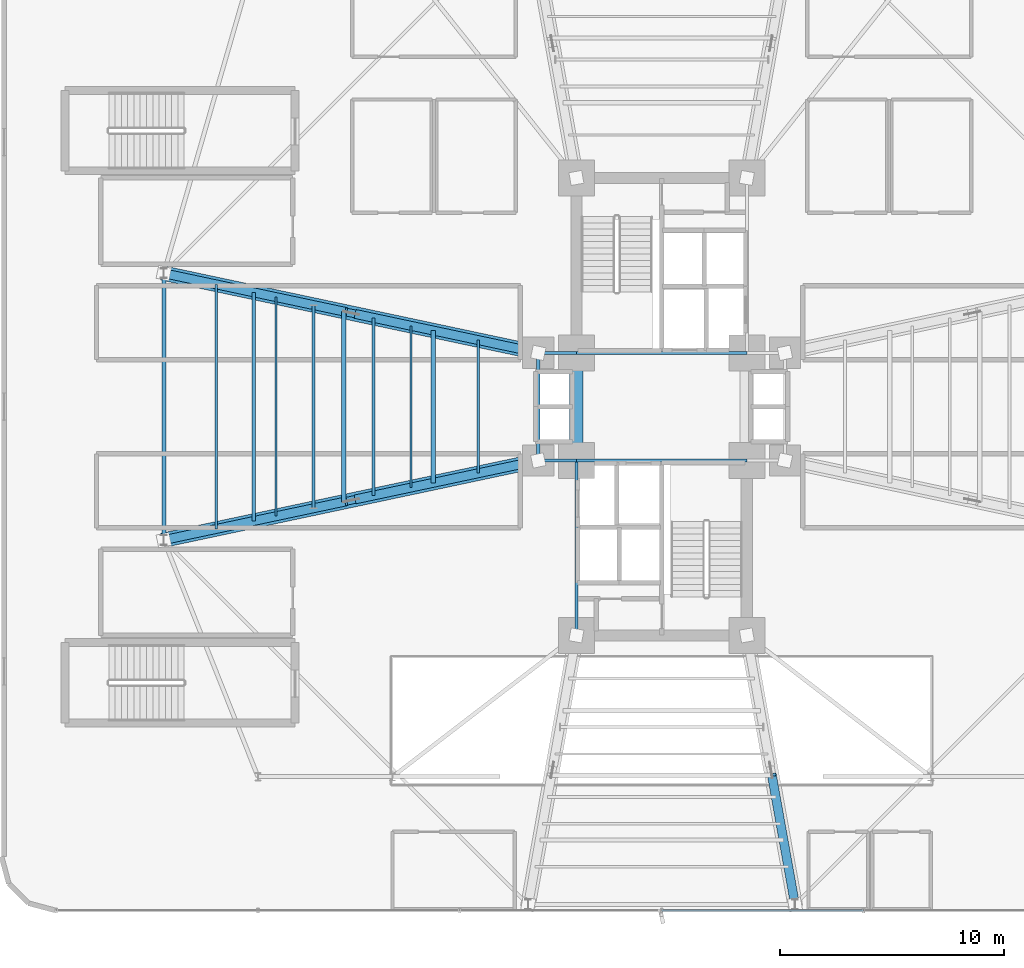
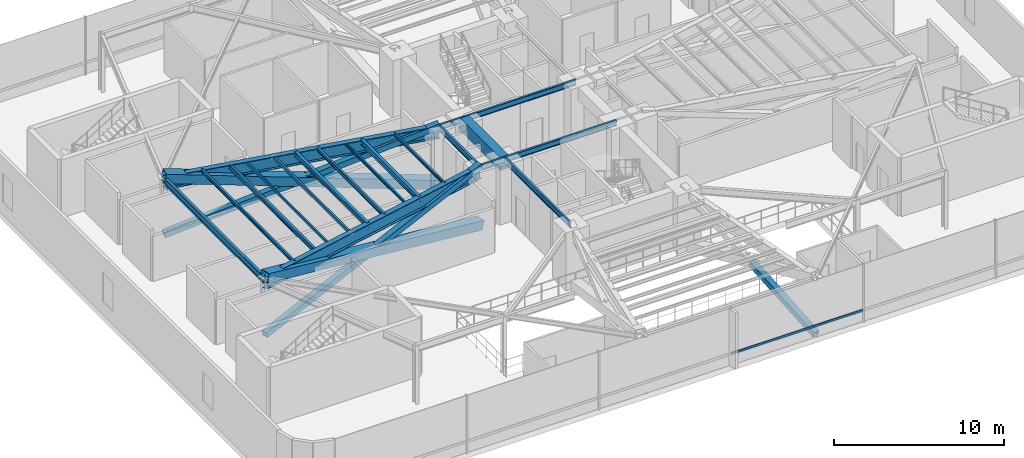
# One storey, part 8 of 32: 19 beams, 8 members, 1 element without a shape of its own.
"""IFC4 building model written with IfcOpenShell, lengths in metres."""

from ifc_helpers import new_model, si_unit, direction, frame, origin, origin_2d, place, context, subcontext, project, spatial, rectangle, hollow_rectangle, i_section, extrude, source, transform, mapped, material, material_profile, profile_set, type_object, element, aggregate, save


model = new_model("IFC4")

# Units and contexts
model_context = context("Model", 3, precision=1e-05, world=origin(), true_north=direction((0.0, 1.0)))
body_context = subcontext(model_context, "Body", "Model", "MODEL_VIEW")
ifc_project = project(units=[si_unit("LENGTHUNIT", "METRE"), si_unit("AREAUNIT", "SQUARE_METRE"), si_unit("VOLUMEUNIT", "CUBIC_METRE"), si_unit("PLANEANGLEUNIT", "RADIAN"), si_unit("MASSUNIT", "GRAM", prefix="KILO")], contexts=[model_context])

# Site, building, storey
site_placement = place(None, origin())
site = spatial("IfcSite", under=ifc_project, at=site_placement, CompositionType="ELEMENT")
building_placement = place(site_placement, origin())
building = spatial("IfcBuilding", under=site, at=building_placement, Name="Sahyath Konkavel Grand Hotel", CompositionType="ELEMENT")
storey_placement = place(building_placement, frame((0.0, 0.0, 14.10009765625)))
storey = spatial("IfcBuildingStorey", under=building, at=storey_placement, Name="L03", CompositionType="ELEMENT", Elevation=14.10009765625)

# Beams
ifc_material_1 = material(Name="Concrete C70/85", Category="concrete")
ifc_material_profile_1 = material_profile(ifc_material_1, rectangle(XDim=0.60009765625, YDim=0.89990234375, at=origin_2d()), Name="RC 600x900")
ifc_profile_set_1 = profile_set([ifc_material_profile_1], Name="Concrete C70/85")
beam_type_1 = type_object("IfcBeamType", Name="BM-CB600x900", PredefinedType="LINTEL", material=ifc_profile_set_1)
shared_shape_1 = source(origin(), body_context, "Body", "SweptSolid", [
    extrude(rectangle(XDim=0.60009765625, YDim=0.89990234375, at=origin_2d()), origin(), (0.0, 0.0, 1.0), 4.7998046875),
])
beam_1_placement = place(storey_placement, frame((-3.800048828125, -2.39990234375, 3.72998046875), z_axis=(0.0, 1.0, 0.0), x_axis=(-1.0, 0.0, 0.0)))
element("IfcBeam", 1, at=beam_1_placement, inside=storey, type_object=beam_type_1, Name="L03 Split-Core Coupling Beam West", PredefinedType="LINTEL", context=body_context, shape_type="MappedRepresentation", body=[
    mapped(shared_shape_1, transform((0.0, 0.0, 0.0), scale=1.0)),
])
ifc_material_2 = material(Name="Steel E350", Category="steel")
ifc_material_profile_2 = material_profile(ifc_material_2, i_section(OverallWidth=0.139892578125, OverallDepth=0.39990234375, WebThickness=0.0087890625, FlangeThickness=0.01611328125, FilletRadius=0.013916015625, at=origin_2d()), Name="ISMB 400")
ifc_profile_set_2 = profile_set([ifc_material_profile_2], Name="Steel E350")
beam_type_2 = type_object("IfcBeamType", Name="BM-ISMB400", PredefinedType="BEAM", material=ifc_profile_set_2)
shared_shape_2 = source(origin(), body_context, "Body", "SweptSolid", [
    extrude(i_section(OverallWidth=0.139892578125, OverallDepth=0.39990234375, WebThickness=0.0087890625, FlangeThickness=0.01611328125, FilletRadius=0.013916015625, at=origin_2d()), origin(), (0.0, 0.0, 1.0), 7.60009765625),
])
for number, where, z_axis, x_axis, name in (
    (2, (-3.800048828125, 2.39990234375, 3.97998046875), (1.0, 0.0, 0.0), (0.0, 1.0, 0.0), "str:bm:L03:NC-S"),
    (3, (-3.800048828125, -2.39990234375, 3.97998046875), (1.0, 0.0, 0.0), (0.0, 1.0, 0.0), "str:bm:L03:SC-N"),
):
    element("IfcBeam", number, at=place(storey_placement, frame(where, z_axis=z_axis, x_axis=x_axis)), inside=storey, type_object=beam_type_2, Name=name, PredefinedType="BEAM", context=body_context, shape_type="MappedRepresentation", body=[
        mapped(shared_shape_2, transform((0.0, 0.0, 0.0), scale=1.0)),
    ])
shared_shape_3 = source(origin(), body_context, "Body", "SweptSolid", [
    extrude(i_section(OverallWidth=0.139892578125, OverallDepth=0.39990234375, WebThickness=0.0087890625, FlangeThickness=0.01611328125, FilletRadius=0.013916015625, at=origin_2d()), origin(), (0.0, 0.0, 1.0), 7.800048828125),
])
beam_2_placement = place(storey_placement, frame((-3.800048828125, -10.199951171875, 3.97998046875), z_axis=(0.0, 1.0, 0.0), x_axis=(-1.0, 0.0, 0.0)))
element("IfcBeam", 4, at=beam_2_placement, inside=storey, type_object=beam_type_2, Name="str:bm:L03:SC-W", PredefinedType="BEAM", context=body_context, shape_type="MappedRepresentation", body=[
    mapped(shared_shape_3, transform((0.0, 0.0, 0.0), scale=1.0)),
])
shared_shape_4 = source(origin(), body_context, "Body", "SweptSolid", [
    extrude(i_section(OverallWidth=0.139892578125, OverallDepth=0.39990234375, WebThickness=0.0087890625, FlangeThickness=0.01611328125, FilletRadius=0.013916015625, at=origin_2d()), origin(), (0.0, 0.0, 1.0), 1.699951171875),
])
for number, where, z_axis, x_axis, name in (
    (5, (-5.5, 2.39990234375, 3.97998046875), (1.0, 0.0, 0.0), (0.0, 1.0, 0.0), "str:bm:L03:HB-NW"),
    (6, (-5.5, -2.39990234375, 3.97998046875), (1.0, 0.0, 0.0), (0.0, 1.0, 0.0), "str:bm:L03:HB-SW"),
):
    element("IfcBeam", number, at=place(storey_placement, frame(where, z_axis=z_axis, x_axis=x_axis)), inside=storey, type_object=beam_type_2, Name=name, PredefinedType="BEAM", context=body_context, shape_type="MappedRepresentation", body=[
        mapped(shared_shape_4, transform((0.0, 0.0, 0.0), scale=1.0)),
    ])
shared_shape_5 = source(origin(), body_context, "Body", "SweptSolid", [
    extrude(i_section(OverallWidth=0.139892578125, OverallDepth=0.39990234375, WebThickness=0.0087890625, FlangeThickness=0.01611328125, FilletRadius=0.013916015625, at=origin_2d()), origin(), (0.0, 0.0, 1.0), 4.7998046875),
])
beam_3_placement = place(storey_placement, frame((-5.5, -2.39990234375, 3.97998046875), z_axis=(0.0, 1.0, 0.0), x_axis=(-1.0, 0.0, 0.0)))
element("IfcBeam", 7, at=beam_3_placement, inside=storey, type_object=beam_type_2, Name="str:bm:L03:HB-W", PredefinedType="BEAM", context=body_context, shape_type="MappedRepresentation", body=[
    mapped(shared_shape_5, transform((0.0, 0.0, 0.0), scale=1.0)),
])
ifc_material_3 = material(Name="Steel E450", Category="steel")
ifc_material_profile_3 = material_profile(ifc_material_3, i_section(OverallWidth=0.35009765625, OverallDepth=0.89990234375, WebThickness=0.01806640625, FlangeThickness=0.031982421875, at=origin_2d()), Name="BPG 900x350")
ifc_profile_set_3 = profile_set([ifc_material_profile_3], Name="Steel E450")
beam_type_3 = type_object("IfcBeamType", Name="BM-BPG900", PredefinedType="BEAM", material=ifc_profile_set_3)
shared_shape_6 = source(origin(), body_context, "Body", "SweptSolid", [
    extrude(i_section(OverallWidth=0.35009765625, OverallDepth=0.89990234375, WebThickness=0.01806640625, FlangeThickness=0.031982421875, at=origin_2d()), origin(), (0.0, 0.0, 1.0), 17.072998046875),
])
for number, where, z_axis, x_axis, name in (
    (8, (-5.5, 2.39990234375, 3.72998046875), (-0.978143257225, 0.20793212437, 0.0), (-0.20793212437, -0.978143257225, 0.0), "L03 Cruciform Radial Girder WA"),
    (9, (-5.5, -2.39990234375, 3.72998046875), (-0.978143257225, -0.20793212437, 0.0), (0.20793212437, -0.978143257225, 0.0), "L03 Cruciform Radial Girder WB"),
):
    element("IfcBeam", number, at=place(storey_placement, frame(where, z_axis=z_axis, x_axis=x_axis)), inside=storey, type_object=beam_type_3, Name=name, PredefinedType="BEAM", context=body_context, shape_type="MappedRepresentation", body=[
        mapped(shared_shape_6, transform((0.0, 0.0, 0.0), scale=1.0)),
    ])
ifc_material_profile_4 = material_profile(ifc_material_2, i_section(OverallWidth=0.179931640625, OverallDepth=0.5, WebThickness=0.01025390625, FlangeThickness=0.01708984375, FilletRadius=0.01708984375, at=origin_2d()), Name="ISMB 500")
ifc_profile_set_4 = profile_set([ifc_material_profile_4], Name="Steel E350")
beam_type_4 = type_object("IfcBeamType", Name="BM-ISMB500", PredefinedType="BEAM", material=ifc_profile_set_4)
shared_shape_7 = source(origin(), body_context, "Body", "SweptSolid", [
    extrude(i_section(OverallWidth=0.179931640625, OverallDepth=0.5, WebThickness=0.01025390625, FlangeThickness=0.01708984375, FilletRadius=0.01708984375, at=origin_2d()), origin(), (0.0, 0.0, 1.0), 11.89990234375),
])
beam_4_placement = place(storey_placement, frame((-22.199951171875, 5.949951171875, 3.929931640625), z_axis=(0.0, -1.0, 0.0), x_axis=(1.0, 0.0, 0.0)))
element("IfcBeam", 10, at=beam_4_placement, inside=storey, type_object=beam_type_4, Name="L03 Wing Tip Edge Beam W", PredefinedType="BEAM", context=body_context, shape_type="MappedRepresentation", body=[
    mapped(shared_shape_7, transform((0.0, 0.0, 0.0), scale=1.0)),
])
ifc_material_profile_5 = material_profile(ifc_material_2, i_section(OverallWidth=0.199951171875, OverallDepth=0.39990234375, WebThickness=0.008544921875, FlangeThickness=0.012939453125, FilletRadius=0.014892578125, at=origin_2d()), Name="ISWB 400")
ifc_profile_set_5 = profile_set([ifc_material_profile_5], Name="Steel E350")
beam_type_5 = type_object("IfcBeamType", Name="BM-ISWB400", PredefinedType="BEAM", material=ifc_profile_set_5)
shared_shape_8 = source(origin(), body_context, "Body", "SweptSolid", [
    extrude(i_section(OverallWidth=0.199951171875, OverallDepth=0.39990234375, WebThickness=0.008544921875, FlangeThickness=0.012939453125, FilletRadius=0.014892578125, at=origin_2d()), origin(), (0.0, 0.0, 1.0), 6.7880859375),
])
beam_5_placement = place(storey_placement, frame((-10.176025390625, 3.39404296875, 3.97998046875), z_axis=(0.0, -1.0, 0.0), x_axis=(1.0, 0.0, 0.0)))
element("IfcBeam", 11, at=beam_5_placement, inside=storey, type_object=beam_type_5, Name="L03 Secondary Floor Beam W-1", PredefinedType="BEAM", context=body_context, shape_type="MappedRepresentation", body=[
    mapped(shared_shape_8, transform((0.0, 0.0, 0.0), scale=1.0)),
])
ifc_material_profile_6 = material_profile(ifc_material_2, i_section(OverallWidth=0.199951171875, OverallDepth=0.35009765625, WebThickness=0.008056640625, FlangeThickness=0.011474609375, FilletRadius=0.013916015625, at=origin_2d()), Name="ISWB 350")
ifc_profile_set_6 = profile_set([ifc_material_profile_6], Name="Steel E350")
beam_type_6 = type_object("IfcBeamType", Name="BM-ISWB350", PredefinedType="BEAM", material=ifc_profile_set_6)
shared_shape_9 = source(origin(), body_context, "Body", "SweptSolid", [
    extrude(i_section(OverallWidth=0.199951171875, OverallDepth=0.35009765625, WebThickness=0.008056640625, FlangeThickness=0.011474609375, FilletRadius=0.013916015625, at=origin_2d()), origin(), (0.0, 0.0, 1.0), 8.4921875),
])
beam_6_placement = place(storey_placement, frame((-14.18408203125, 4.24609375, 4.0048828125), z_axis=(0.0, -1.0, 0.0), x_axis=(1.0, 0.0, 0.0)))
element("IfcBeam", 12, at=beam_6_placement, inside=storey, type_object=beam_type_6, Name="L03 Secondary Floor Beam W-2", PredefinedType="BEAM", context=body_context, shape_type="MappedRepresentation", body=[
    mapped(shared_shape_9, transform((0.0, 0.0, 0.0), scale=1.0)),
])
ifc_material_profile_7 = material_profile(ifc_material_2, i_section(OverallWidth=0.1650390625, OverallDepth=0.324951171875, WebThickness=0.007080078125, FlangeThickness=0.009765625, FilletRadius=0.014892578125, at=origin_2d()), Name="ISLB 325")
ifc_profile_set_7 = profile_set([ifc_material_profile_7], Name="Steel E350")
beam_type_7 = type_object("IfcBeamType", Name="BM-ISLB325", PredefinedType="BEAM", material=ifc_profile_set_7)
shared_shape_10 = source(origin(), body_context, "Body", "SweptSolid", [
    extrude(i_section(OverallWidth=0.1650390625, OverallDepth=0.324951171875, WebThickness=0.007080078125, FlangeThickness=0.009765625, FilletRadius=0.014892578125, at=origin_2d()), origin(), (0.0, 0.0, 1.0), 10.19580078125),
])
beam_7_placement = place(storey_placement, frame((-18.19189453125, 5.097900390625, 4.017333984375), z_axis=(0.0, -1.0, 0.0), x_axis=(1.0, 0.0, 0.0)))
element("IfcBeam", 13, at=beam_7_placement, inside=storey, type_object=beam_type_7, Name="L03 Secondary Floor Beam W-3", PredefinedType="BEAM", context=body_context, shape_type="MappedRepresentation", body=[
    mapped(shared_shape_10, transform((0.0, 0.0, 0.0), scale=1.0)),
])

# Members
ifc_material_profile_8 = material_profile(ifc_material_3, hollow_rectangle(XDim=0.64990234375, YDim=0.64990234375, WallThickness=0.031982421875, at=origin_2d()), Name="BOX 650x650x32")
ifc_profile_set_8 = profile_set([ifc_material_profile_8], Name="Steel E450")
member_type_1 = type_object("IfcMemberType", Name="BR-BOX650", PredefinedType="BRACE", material=ifc_profile_set_8)
shared_shape_11 = source(origin(), body_context, "Body", "SweptSolid", [
    extrude(hollow_rectangle(XDim=0.64990234375, YDim=0.64990234375, WallThickness=0.031982421875, at=origin_2d()), origin(), (0.0, 0.0, 1.0), 17.572509765625),
])
for number, where, z_axis, x_axis, name in (
    (14, (-5.5, 2.39990234375, 0.010009765625), (-0.95034065569, 0.20202189194, 0.236727255125), (-0.20793212437, -0.978143257225, 0.0), "L03 Ballroom Steel Transfer Truss WA Continuous Diagonal 1"),
    (15, (-5.5, -2.39990234375, 0.010009765625), (-0.95034065569, -0.20202189194, 0.236727255125), (0.20793212437, -0.978143257225, 0.0), "L03 Ballroom Steel Transfer Truss WB Continuous Diagonal 1"),
):
    element("IfcMember", number, at=place(storey_placement, frame(where, z_axis=z_axis, x_axis=x_axis)), inside=storey, type_object=member_type_1, Name=name, PredefinedType="BRACE", context=body_context, shape_type="MappedRepresentation", body=[
        mapped(shared_shape_11, transform((0.0, 0.0, 0.0), scale=1.0)),
    ])
ifc_material_profile_9 = material_profile(ifc_material_3, hollow_rectangle(XDim=0.39990234375, YDim=0.39990234375, WallThickness=0.02001953125, at=origin_2d()), Name="SHS 400x400x20")
ifc_profile_set_9 = profile_set([ifc_material_profile_9], Name="Steel E450")
member_type_2 = type_object("IfcMemberType", Name="BR-SHS400", PredefinedType="BRACE", material=ifc_profile_set_9)
shared_shape_12 = source(origin(), body_context, "Body", "SweptSolid", [
    extrude(hollow_rectangle(XDim=0.39990234375, YDim=0.39990234375, WallThickness=0.02001953125, at=origin_2d()), origin(), (0.0, 0.0, 1.0), 8.546142578125),
])
for number, where, z_axis, x_axis, name in (
    (16, (-22.199951171875, 5.949951171875, 0.010009765625), (0.950337999796, -0.202025741262, 0.236734632047), (0.207936470993, 0.978142333217, 0.0), "L03 Ballroom Steel Transfer Truss WA Split Lower Diagonal 2A"),
    (17, (-13.621826171875, 4.12646484375, 2.146728515625), (0.950337999796, -0.202025741262, 0.236734632047), (0.207936470993, 0.978142333217, 0.0), "L03 Ballroom Steel Transfer Truss WA Split Upper Diagonal 2B"),
    (18, (-22.199951171875, -5.949951171875, 0.010009765625), (0.950337999796, 0.202025741262, 0.236734632047), (-0.207936470993, 0.978142333217, 0.0), "L03 Ballroom Steel Transfer Truss WB Split Lower Diagonal 2A"),
    (19, (-13.621826171875, -4.12646484375, 2.146728515625), (0.950337999796, 0.202025741262, 0.236734632047), (-0.207936470993, 0.978142333217, 0.0), "L03 Ballroom Steel Transfer Truss WB Split Upper Diagonal 2B"),
):
    element("IfcMember", number, at=place(storey_placement, frame(where, z_axis=z_axis, x_axis=x_axis)), inside=storey, type_object=member_type_2, Name=name, PredefinedType="BRACE", context=body_context, shape_type="MappedRepresentation", body=[
        mapped(shared_shape_12, transform((0.0, 0.0, 0.0), scale=1.0)),
    ])
shared_shape_13 = source(origin(), body_context, "Body", "SweptSolid", [
    extrude(hollow_rectangle(XDim=0.39990234375, YDim=0.39990234375, WallThickness=0.02001953125, at=origin_2d()), origin(), (0.0, 0.0, 1.0), 6.20068359375),
])
member_1_placement = place(storey_placement, frame((5.949951171875, -22.199951171875, 0.010009765625), z_axis=(-0.16690560693, 0.931584491619, 0.322944040586), x_axis=(-0.984326620303, -0.176355052556, 0.0)))
element("IfcMember", 20, at=member_1_placement, inside=storey, type_object=member_type_2, Name="L03 Ballroom Steel Transfer Truss SB Split Lower Diagonal 2A", PredefinedType="BRACE", context=body_context, shape_type="MappedRepresentation", body=[
    mapped(shared_shape_13, transform((0.0, 0.0, 0.0), scale=1.0)),
])

# Beams
ifc_material_profile_10 = material_profile(ifc_material_2, i_section(OverallWidth=0.110107421875, OverallDepth=0.22509765625, WebThickness=0.006591796875, FlangeThickness=0.01171875, FilletRadius=0.011962890625, at=origin_2d()), Name="ISMB 225")
ifc_profile_set_10 = profile_set([ifc_material_profile_10], Name="Steel E350")
beam_type_8 = type_object("IfcBeamType", Name="BM-ISMB225", PredefinedType="BEAM", material=ifc_profile_set_10)
shared_shape_14 = source(origin(), body_context, "Body", "SweptSolid", [
    extrude(i_section(OverallWidth=0.110107421875, OverallDepth=0.22509765625, WebThickness=0.006591796875, FlangeThickness=0.01171875, FilletRadius=0.011962890625, at=origin_2d()), origin(), (0.0, 0.0, 1.0), 5.93603515625),
])
beam_8_placement = place(storey_placement, frame((-8.172119140625, 2.968017578125, 4.0673828125), z_axis=(0.0, -1.0, 0.0), x_axis=(1.0, 0.0, 0.0)))
element("IfcBeam", 21, at=beam_8_placement, inside=storey, type_object=beam_type_8, Name="L03 Composite Deck Sub-Beam W-1", PredefinedType="BEAM", context=body_context, shape_type="MappedRepresentation", body=[
    mapped(shared_shape_14, transform((0.0, 0.0, 0.0), scale=1.0)),
])
ifc_material_profile_11 = material_profile(ifc_material_2, i_section(OverallWidth=0.10009765625, OverallDepth=0.199951171875, WebThickness=0.005615234375, FlangeThickness=0.0107421875, FilletRadius=0.010986328125, at=origin_2d()), Name="ISMB 200")
ifc_profile_set_11 = profile_set([ifc_material_profile_11], Name="Steel E350")
beam_type_9 = type_object("IfcBeamType", Name="BM-ISMB200", PredefinedType="BEAM", material=ifc_profile_set_11)
shared_shape_15 = source(origin(), body_context, "Body", "SweptSolid", [
    extrude(i_section(OverallWidth=0.10009765625, OverallDepth=0.199951171875, WebThickness=0.005615234375, FlangeThickness=0.0107421875, FilletRadius=0.010986328125, at=origin_2d()), origin(), (0.0, 0.0, 1.0), 7.2138671875),
])
beam_9_placement = place(storey_placement, frame((-11.177978515625, 3.60693359375, 4.079833984375), z_axis=(0.0, -1.0, 0.0), x_axis=(1.0, 0.0, 0.0)))
element("IfcBeam", 22, at=beam_9_placement, inside=storey, type_object=beam_type_9, Name="L03 Composite Deck Sub-Beam W-2", PredefinedType="BEAM", context=body_context, shape_type="MappedRepresentation", body=[
    mapped(shared_shape_15, transform((0.0, 0.0, 0.0), scale=1.0)),
])
ifc_material_profile_12 = material_profile(ifc_material_2, i_section(OverallWidth=0.139892578125, OverallDepth=0.27490234375, WebThickness=0.00634765625, FlangeThickness=0.0087890625, FilletRadius=0.012939453125, at=origin_2d()), Name="ISLB 275")
ifc_profile_set_12 = profile_set([ifc_material_profile_12], Name="Steel E350")
beam_type_10 = type_object("IfcBeamType", Name="BM-ISLB275", PredefinedType="BEAM", material=ifc_profile_set_12)
shared_shape_16 = source(origin(), body_context, "Body", "SweptSolid", [
    extrude(i_section(OverallWidth=0.139892578125, OverallDepth=0.27490234375, WebThickness=0.00634765625, FlangeThickness=0.0087890625, FilletRadius=0.012939453125, at=origin_2d()), origin(), (0.0, 0.0, 1.0), 7.923828125),
])
beam_10_placement = place(storey_placement, frame((-12.847900390625, 3.9619140625, 4.04248046875), z_axis=(0.0, -1.0, 0.0), x_axis=(1.0, 0.0, 0.0)))
element("IfcBeam", 23, at=beam_10_placement, inside=storey, type_object=beam_type_10, Name="L03 Composite Deck Sub-Beam W-3", PredefinedType="BEAM", context=body_context, shape_type="MappedRepresentation", body=[
    mapped(shared_shape_16, transform((0.0, 0.0, 0.0), scale=1.0)),
])
ifc_material_profile_13 = material_profile(ifc_material_2, hollow_rectangle(XDim=0.1201171875, YDim=0.219970703125, WallThickness=0.010009765625, at=origin_2d()), Name="RHS 220x120x10")
ifc_profile_set_13 = profile_set([ifc_material_profile_13], Name="Steel E350")
beam_type_11 = type_object("IfcBeamType", Name="BM-RHS220", PredefinedType="BEAM", material=ifc_profile_set_13)
shared_shape_17 = source(origin(), body_context, "Body", "SweptSolid", [
    extrude(hollow_rectangle(XDim=0.1201171875, YDim=0.219970703125, WallThickness=0.010009765625, at=origin_2d()), origin(), (0.0, 0.0, 1.0), 9.06005859375),
])
beam_11_placement = place(storey_placement, frame((-15.52001953125, 4.530029296875, 4.06982421875), z_axis=(0.0, -1.0, 0.0), x_axis=(1.0, 0.0, 0.0)))
element("IfcBeam", 24, at=beam_11_placement, inside=storey, type_object=beam_type_11, Name="L03 Composite Deck Sub-Beam W-4", PredefinedType="BEAM", context=body_context, shape_type="MappedRepresentation", body=[
    mapped(shared_shape_17, transform((0.0, 0.0, 0.0), scale=1.0)),
])
ifc_material_profile_14 = material_profile(ifc_material_2, hollow_rectangle(XDim=0.090087890625, YDim=0.179931640625, WallThickness=0.008056640625, at=origin_2d()), Name="RHS 180x90x8")
ifc_profile_set_14 = profile_set([ifc_material_profile_14], Name="Steel E350")
beam_type_12 = type_object("IfcBeamType", Name="BM-RHS180", PredefinedType="BEAM", material=ifc_profile_set_14)
shared_shape_18 = source(origin(), body_context, "Body", "SweptSolid", [
    extrude(hollow_rectangle(XDim=0.090087890625, YDim=0.179931640625, WallThickness=0.008056640625, at=origin_2d()), origin(), (0.0, 0.0, 1.0), 9.77001953125),
])
beam_12_placement = place(storey_placement, frame((-17.18994140625, 4.885009765625, 4.08984375), z_axis=(0.0, -1.0, 0.0), x_axis=(1.0, 0.0, 0.0)))
element("IfcBeam", 25, at=beam_12_placement, inside=storey, type_object=beam_type_12, Name="L03 Composite Deck Sub-Beam W-5", PredefinedType="BEAM", context=body_context, shape_type="MappedRepresentation", body=[
    mapped(shared_shape_18, transform((0.0, 0.0, 0.0), scale=1.0)),
])
ifc_material_profile_15 = material_profile(ifc_material_2, i_section(OverallWidth=0.125, OverallDepth=0.25, WebThickness=0.0068359375, FlangeThickness=0.012451171875, FilletRadius=0.012939453125, at=origin_2d()), Name="ISMB 250")
ifc_profile_set_15 = profile_set([ifc_material_profile_15], Name="Steel E350")
beam_type_13 = type_object("IfcBeamType", Name="BM-ISMB250", PredefinedType="BEAM", material=ifc_profile_set_15)
shared_shape_19 = source(origin(), body_context, "Body", "SweptSolid", [
    extrude(i_section(OverallWidth=0.125, OverallDepth=0.25, WebThickness=0.0068359375, FlangeThickness=0.012451171875, FilletRadius=0.012939453125, at=origin_2d()), origin(), (0.0, 0.0, 1.0), 10.90576171875),
])
beam_13_placement = place(storey_placement, frame((-19.862060546875, 5.452880859375, 4.054931640625), z_axis=(0.0, -1.0, 0.0), x_axis=(1.0, 0.0, 0.0)))
element("IfcBeam", 26, at=beam_13_placement, inside=storey, type_object=beam_type_13, Name="L03 Composite Deck Sub-Beam W-6", PredefinedType="BEAM", context=body_context, shape_type="MappedRepresentation", body=[
    mapped(shared_shape_19, transform((0.0, 0.0, 0.0), scale=1.0)),
])

# Curtain wall, member
ifc_material_4 = material(Name="Anodised Bronze Aluminium & Low-E Glazing", Category="aluminium")
curtain_wall_type = type_object("IfcCurtainWallType", Name="CW-PODIUM", PredefinedType="NOTDEFINED", material=ifc_material_4)
curtain_wall_placement = place(storey_placement, origin())
curtain_wall = element("IfcCurtainWall", 27, at=curtain_wall_placement, inside=storey, type_object=curtain_wall_type, Name="L03 Unitised Curtain Wall S", PredefinedType="NOTDEFINED")
ifc_material_5 = material(Name="Anodised Bronze Aluminium", Category="aluminium")
ifc_material_profile_16 = material_profile(ifc_material_5, hollow_rectangle(XDim=0.080078125, YDim=0.159912109375, WallThickness=0.006103515625, at=origin_2d()), Name="RHS 160x80x6")
ifc_profile_set_16 = profile_set([ifc_material_profile_16], Name="Anodised Bronze Aluminium")
member_type_3 = type_object("IfcMemberType", Name="CW-TRN-160", PredefinedType="USERDEFINED", material=ifc_profile_set_16)
shared_shape_20 = source(origin(), body_context, "Body", "SweptSolid", [
    extrude(hollow_rectangle(XDim=0.080078125, YDim=0.159912109375, WallThickness=0.006103515625, at=origin_2d()), origin(), (0.0, 0.0, 1.0), 8.998779296875),
])
member_2_placement = place(storey_placement, frame((0.0, -22.465087890625, 0.849853515625), z_axis=(1.0, 0.0, 0.0), x_axis=(0.0, 1.0, 0.0)))
member_2 = element("IfcMember", 28, at=member_2_placement, type_object=member_type_3, Name="L03 Curtain Wall Transom S-3-spandrel", ObjectType="TRANSOM", PredefinedType="USERDEFINED", context=body_context, shape_type="MappedRepresentation", body=[
    mapped(shared_shape_20, transform((0.0, 0.0, 0.0), scale=1.0)),
])
aggregate(curtain_wall, [member_2])

save(model, "model.ifc")
